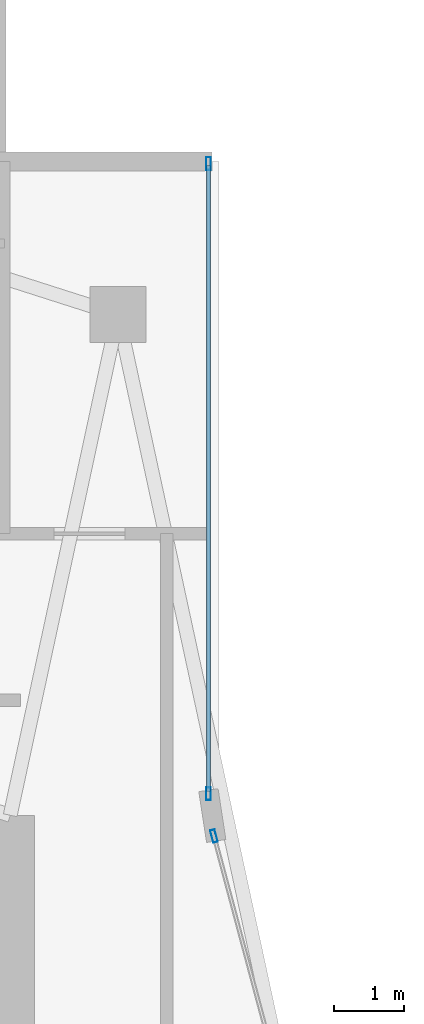
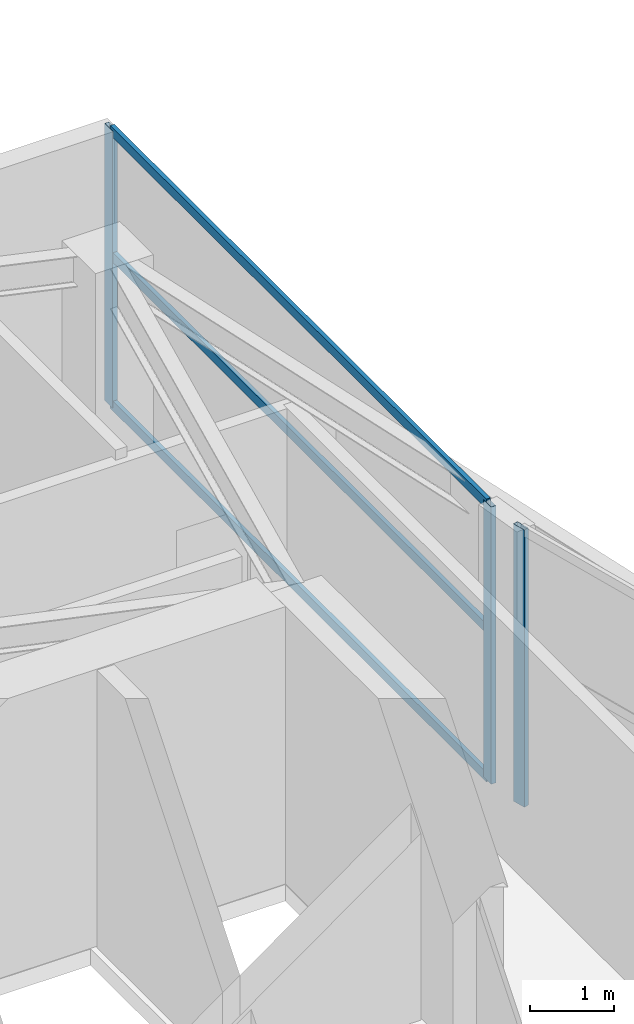
# One storey, part 19 of 29: 6 members, 2 elements without a shape of their own.
"""IFC4 building model written with IfcOpenShell, lengths in metres."""

from ifc_helpers import new_model, si_unit, direction, frame, origin, origin_2d, place, context, subcontext, project, spatial, hollow_rectangle, extrude, material, layer, layer_set, material_profile, profile_set, type_object, element, aggregate, save


model = new_model("IFC4")

# Units and contexts
model_context = context("Model", 3, precision=1e-05, world=origin(), true_north=direction((0.0, 1.0)))
body_context = subcontext(model_context, "Body", "Model", "MODEL_VIEW")
ifc_project = project(units=[si_unit("LENGTHUNIT", "METRE"), si_unit("AREAUNIT", "SQUARE_METRE"), si_unit("VOLUMEUNIT", "CUBIC_METRE"), si_unit("PLANEANGLEUNIT", "RADIAN"), si_unit("MASSUNIT", "GRAM", prefix="KILO")], contexts=[model_context])

# Site, building, storey
site_placement = place(None, origin())
site = spatial("IfcSite", under=ifc_project, at=site_placement, CompositionType="ELEMENT")
building_placement = place(site_placement, origin())
building = spatial("IfcBuilding", under=site, at=building_placement, Name="Calvorn Quay Hotel", CompositionType="ELEMENT")
storey_placement = place(building_placement, frame((0.0, 0.0, 214.800048828125)))
storey = spatial("IfcBuildingStorey", under=building, at=storey_placement, Name="L53", CompositionType="ELEMENT", Elevation=214.800048828125)

# Curtain wall, member
ifc_material_1 = material(Name="Champagne Bronze Anodised Aluminium and Low-E Glass", Category="aluminium")
ifc_layer = layer(ifc_material_1, 0.219970703125)
ifc_layer_set = layer_set([ifc_layer], Name="CW-SYS-Z3")
curtain_wall_type = type_object("IfcCurtainWallType", Name="CW-SYS-Z3", PredefinedType="NOTDEFINED", material=ifc_layer_set)
curtain_wall_1_placement = place(storey_placement, origin())
curtain_wall_1 = element("IfcCurtainWall", 1, at=curtain_wall_1_placement, inside=storey, type_object=curtain_wall_type, Name="Inner Court Curtain Wall L53-IC1", PredefinedType="NOTDEFINED")
ifc_material_2 = material(Name="Champagne Bronze Anodised Aluminium 6063-T6", Category="aluminium")
ifc_material_profile_1 = material_profile(ifc_material_2, hollow_rectangle(XDim=0.068115234375, YDim=0.18505859375, WallThickness=0.00390625, at=origin_2d()), Name="ALU-M185x68x4")
ifc_profile_set_1 = profile_set([ifc_material_profile_1], Name="Champagne Bronze Anodised Aluminium 6063-T6")
member_type_1 = type_object("IfcMemberType", Name="CW-SYS-Z3-MUL", PredefinedType="MULLION", material=ifc_profile_set_1)
member_1_placement = place(storey_placement, frame((17.9296875, 38.10107421875, 0.0), z_axis=(0.0, 0.0, 1.0), x_axis=(-0.96593652056, -0.25877913024, 0.0)))
member_1 = element("IfcMember", 2, at=member_1_placement, type_object=member_type_1, Name="CW-L53-IC1 mullion 2", PredefinedType="MULLION", context=body_context, shape_type="SweptSolid", body=[
    extrude(hollow_rectangle(XDim=0.068115234375, YDim=0.18505859375, WallThickness=0.00390625, at=origin_2d()), origin(), (0.0, 0.0, 1.0), 4.050048828125),
])
aggregate(curtain_wall_1, [member_1])

# Curtain wall, members
curtain_wall_2_placement = place(storey_placement, origin())
curtain_wall_2 = element("IfcCurtainWall", 3, at=curtain_wall_2_placement, inside=storey, type_object=curtain_wall_type, Name="Inner Court Curtain Wall L53-IC2", PredefinedType="NOTDEFINED")
member_2_placement = place(storey_placement, frame((17.85009765625, 38.7099609375, 0.0), z_axis=(0.0, 0.0, 1.0), x_axis=(-1.0, 0.0, 0.0)))
member_2 = element("IfcMember", 4, at=member_2_placement, type_object=member_type_1, Name="CW-L53-IC2 mullion 1", PredefinedType="MULLION", context=body_context, shape_type="SweptSolid", body=[
    extrude(hollow_rectangle(XDim=0.068115234375, YDim=0.18505859375, WallThickness=0.00390625, at=origin_2d()), origin(), (0.0, 0.0, 1.0), 4.050048828125),
])
member_3_placement = place(storey_placement, frame((17.85009765625, 47.77001953125, 0.0), z_axis=(0.0, 0.0, 1.0), x_axis=(-1.0, 0.0, 0.0)))
member_3 = element("IfcMember", 5, at=member_3_placement, type_object=member_type_1, Name="CW-L53-IC2 mullion 2", PredefinedType="MULLION", context=body_context, shape_type="SweptSolid", body=[
    extrude(hollow_rectangle(XDim=0.068115234375, YDim=0.18505859375, WallThickness=0.00390625, at=origin_2d()), origin(), (0.0, 0.0, 1.0), 4.050048828125),
])
ifc_material_3 = material(Name="Champagne Bronze Anodised Aluminium 6063-T6", Category="aluminium")
ifc_material_profile_2 = material_profile(ifc_material_3, hollow_rectangle(XDim=0.05810546875, YDim=0.139892578125, WallThickness=0.003173828125, at=origin_2d()), Name="ALU-T140x58x3.2")
ifc_profile_set_2 = profile_set([ifc_material_profile_2], Name="Champagne Bronze Anodised Aluminium 6063-T6")
member_type_2 = type_object("IfcMemberType", Name="CW-SYS-Z3-TRN", PredefinedType="USERDEFINED", material=ifc_profile_set_2)
member_4_placement = place(storey_placement, frame((17.85009765625, 38.739990234375, 0.030029296875), z_axis=(0.0, 1.0, 0.0), x_axis=(-1.0, 0.0, 0.0)))
member_4 = element("IfcMember", 6, at=member_4_placement, type_object=member_type_2, Name="CW-L53-IC2 transom 1.1", ObjectType="TRANSOM", PredefinedType="USERDEFINED", context=body_context, shape_type="SweptSolid", body=[
    extrude(hollow_rectangle(XDim=0.05810546875, YDim=0.139892578125, WallThickness=0.003173828125, at=origin_2d()), origin(), (0.0, 0.0, 1.0), 9.0),
])
member_5_placement = place(storey_placement, frame((17.85009765625, 38.739990234375, 2.199951171875), z_axis=(0.0, 1.0, 0.0), x_axis=(-1.0, 0.0, 0.0)))
member_5 = element("IfcMember", 7, at=member_5_placement, type_object=member_type_2, Name="CW-L53-IC2 transom 1.2", ObjectType="TRANSOM", PredefinedType="USERDEFINED", context=body_context, shape_type="SweptSolid", body=[
    extrude(hollow_rectangle(XDim=0.05810546875, YDim=0.139892578125, WallThickness=0.003173828125, at=origin_2d()), origin(), (0.0, 0.0, 1.0), 9.0),
])
member_6_placement = place(storey_placement, frame((17.85009765625, 38.739990234375, 4.02001953125), z_axis=(0.0, 1.0, 0.0), x_axis=(-1.0, 0.0, 0.0)))
member_6 = element("IfcMember", 8, at=member_6_placement, type_object=member_type_2, Name="CW-L53-IC2 transom 1.3", ObjectType="TRANSOM", PredefinedType="USERDEFINED", context=body_context, shape_type="SweptSolid", body=[
    extrude(hollow_rectangle(XDim=0.05810546875, YDim=0.139892578125, WallThickness=0.003173828125, at=origin_2d()), origin(), (0.0, 0.0, 1.0), 9.0),
])
aggregate(curtain_wall_2, [member_2, member_3, member_4, member_5, member_6])

save(model, "model.ifc")
